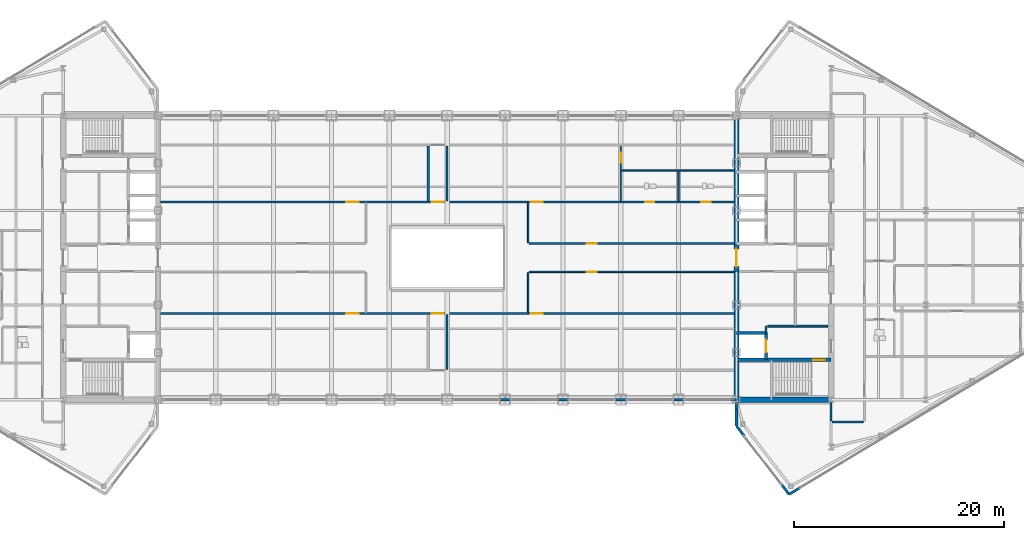
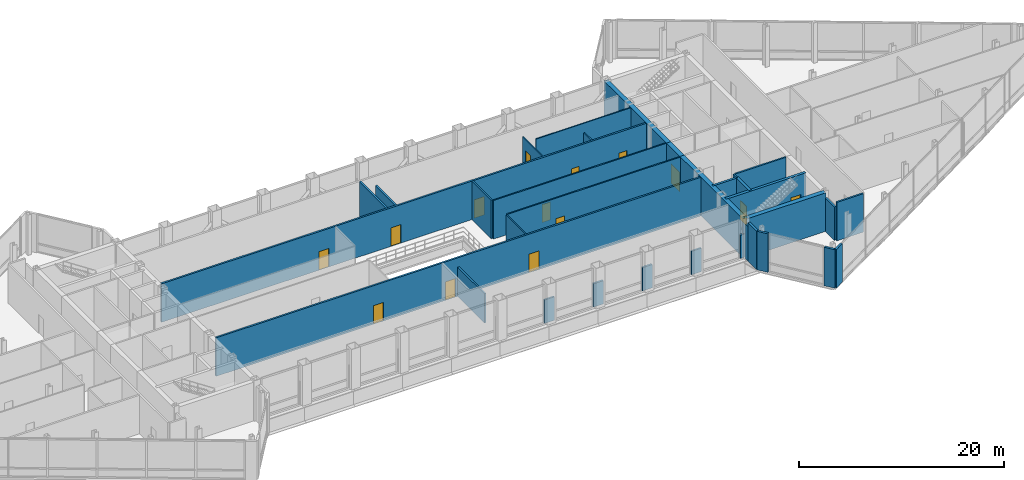
# One storey, part 24 of 30: 33 walls, 14 doors, 14 openings.
"""IFC4 building model written with IfcOpenShell, lengths in metres."""

from ifc_helpers import new_model, si_unit, direction, frame, frame_2d, origin, place, context, subcontext, project, spatial, rectangle, extrude, source, transform, mapped, material, layer, layer_set, type_object, type_shapes, element, fill, save


model = new_model("IFC4")

# Units and contexts
model_context = context("Model", 3, precision=1e-05, world=origin(), true_north=direction((0.0, 1.0)))
body_context = subcontext(model_context, "Body", "Model", "MODEL_VIEW")
ifc_project = project(units=[si_unit("LENGTHUNIT", "METRE"), si_unit("AREAUNIT", "SQUARE_METRE"), si_unit("VOLUMEUNIT", "CUBIC_METRE"), si_unit("PLANEANGLEUNIT", "RADIAN"), si_unit("MASSUNIT", "GRAM", prefix="KILO")], contexts=[model_context])

# Site, building, storey
site_placement = place(None, origin())
site = spatial("IfcSite", under=ifc_project, at=site_placement, CompositionType="ELEMENT")
building_placement = place(site_placement, origin())
building = spatial("IfcBuilding", under=site, at=building_placement, Name="Seokmaru Belvedere", CompositionType="ELEMENT")
storey_placement = place(building_placement, frame((0.0, 0.0, 234.60009765625)))
storey = spatial("IfcBuildingStorey", under=building, at=storey_placement, Name="L62", CompositionType="ELEMENT", Elevation=234.60009765625)

# Wall, opening, door
ifc_material_1 = material(Name="Fire-Rated Gypsum Shaftwall")
ifc_layer_1 = layer(ifc_material_1, 0.14990234375)
ifc_layer_set_1 = layer_set([ifc_layer_1], Name="Fire-Rated Gypsum Shaftwall")
wall_type_1 = type_object("IfcWallType", Name="Apartment Fire-Acoustic Room Partition 150", PredefinedType="PARTITIONING", material=ifc_layer_set_1)
wall_1_placement = place(storey_placement, frame((7.784912109375, -1.35009765625, 0.0), z_axis=(0.0, 0.0, 1.0), x_axis=(1.0, 0.0, 0.0)))
wall_1 = element("IfcWall", 1, at=wall_1_placement, inside=storey, type_object=wall_type_1, Name="L62 Interior Partition 013", PredefinedType="PARTITIONING", context=body_context, shape_type="SweptSolid", body=[
    extrude(rectangle(XDim=19.460205078125, YDim=0.14990234375, at=frame_2d((9.72998046875, 0.0))), origin(), (0.0, 0.0, 1.0), 4.579833984375),
])
opening_1_placement = place(wall_1_placement, frame((5.489990234375, 0.0, 0.0)))
opening_1 = element("IfcOpeningElement", 2, at=opening_1_placement, cuts=wall_1, Name="Opening D05", PredefinedType="OPENING", context=body_context, shape_type="SweptSolid", body=[
    extrude(rectangle(XDim=0.949951171875, YDim=2.14990234375, at=frame_2d((0.47509765625, 1.074951171875))), frame((0.0, 0.0849609375, 0.0), z_axis=(0.0, -1.0, 0.0), x_axis=(1.0, 0.0, 0.0)), (0.0, 0.0, 1.0), 0.169921875),
])
ifc_material_2 = material(Name="Engineered White Oak Timber", Category="wood")
door_type_1 = type_object("IfcDoorType", Name="Apartment Interior Fire-Rated Oak Door 950x2150", OperationType="NOTDEFINED", PredefinedType="DOOR", material=ifc_material_2)
shared_shape_1 = source(origin(), body_context, "Body", "SweptSolid", [
    extrude(rectangle(XDim=0.949951171875, YDim=2.14990234375, at=frame_2d((0.47509765625, 1.074951171875))), frame((0.0, 0.02490234375, 0.0), z_axis=(0.0, -1.0, 0.0), x_axis=(1.0, 0.0, 0.0)), (0.0, 0.0, 1.0), 0.050048828125),
])
type_shapes(door_type_1, [shared_shape_1])
door_1_placement = place(opening_1_placement, origin())
door_1 = element("IfcDoor", 3, at=door_1_placement, inside=storey, type_object=door_type_1, Name="L62 Interior Door 024", OperationType="SINGLE_SWING_RIGHT", OverallHeight=2.14990234375, OverallWidth=0.949951171875, PredefinedType="DOOR", context=body_context, shape_type="MappedRepresentation", body=[
    mapped(shared_shape_1, transform((0.0, 0.0, 0.0), scale=1.0)),
])
fill(opening_1, door_1)

wall_2_placement = place(storey_placement, frame((7.784912109375, 1.35009765625, 0.0), z_axis=(0.0, 0.0, 1.0), x_axis=(1.0, 0.0, 0.0)))
wall_2 = element("IfcWall", 4, at=wall_2_placement, inside=storey, type_object=wall_type_1, Name="L62 Interior Partition 018", PredefinedType="PARTITIONING", context=body_context, shape_type="SweptSolid", body=[
    extrude(rectangle(XDim=19.460205078125, YDim=0.14990234375, at=frame_2d((9.72998046875, 0.0))), origin(), (0.0, 0.0, 1.0), 4.579833984375),
])
opening_2_placement = place(wall_2_placement, frame((5.489990234375, 0.0, 0.0)))
opening_2 = element("IfcOpeningElement", 5, at=opening_2_placement, cuts=wall_2, Name="Opening D05", PredefinedType="OPENING", context=body_context, shape_type="SweptSolid", body=[
    extrude(rectangle(XDim=0.949951171875, YDim=2.14990234375, at=frame_2d((0.47509765625, 1.074951171875))), frame((0.0, 0.0849609375, 0.0), z_axis=(0.0, -1.0, 0.0), x_axis=(1.0, 0.0, 0.0)), (0.0, 0.0, 1.0), 0.169921875),
])
door_2_placement = place(opening_2_placement, origin())
door_2 = element("IfcDoor", 6, at=door_2_placement, inside=storey, type_object=door_type_1, Name="L62 Interior Door 026", OperationType="SINGLE_SWING_LEFT", OverallHeight=2.14990234375, OverallWidth=0.949951171875, PredefinedType="DOOR", context=body_context, shape_type="MappedRepresentation", body=[
    mapped(shared_shape_1, transform((0.0, 0.0, 0.0), scale=1.0)),
])
fill(opening_2, door_2)

# Walls
for number, where, z_axis, x_axis, name in (
    (7, (7.699951171875, -5.215087890625, 0.0), (0.0, 0.0, 1.0), (0.0, 1.0, 0.0), "L62 Interior Partition 039"),
    (8, (7.699951171875, 1.43505859375, 0.0), (0.0, 0.0, 1.0), (0.0, 1.0, 0.0), "L62 Interior Partition 040"),
):
    element("IfcWall", number, at=place(storey_placement, frame(where, z_axis=z_axis, x_axis=x_axis)), inside=storey, type_object=wall_type_1, Name=name, PredefinedType="PARTITIONING", context=body_context, shape_type="SweptSolid", body=[
        extrude(rectangle(XDim=3.780029296875, YDim=0.14990234375, at=frame_2d((1.89013671875, 0.0))), origin(), (0.0, 0.0, 1.0), 4.579833984375),
    ])
ifc_material_3 = material(Name="Anodised Bronze Aluminium", Category="aluminium")
ifc_layer_2 = layer(ifc_material_3, 0.2099609375)
ifc_layer_set_2 = layer_set([ifc_layer_2], Name="Anodised Bronze Aluminium")
wall_type_2 = type_object("IfcWallType", Name="Bridge Column Spandrel Closure Pier 210", PredefinedType="SOLIDWALL", material=ifc_layer_set_2)
for number, where, z_axis, x_axis, name in (
    (9, (4.949951171875, -13.5, 0.0), (0.0, 0.0, 1.0), (1.0, 0.0, 0.0), "L62 Bridge South Column Closure Pier 07"),
    (10, (10.449951171875, -13.5, 0.0), (0.0, 0.0, 1.0), (1.0, 0.0, 0.0), "L62 Bridge South Column Closure Pier 08"),
    (11, (15.949951171875, -13.5, 0.0), (0.0, 0.0, 1.0), (1.0, 0.0, 0.0), "L62 Bridge South Column Closure Pier 09"),
    (12, (21.449951171875, -13.5, 0.0), (0.0, 0.0, 1.0), (1.0, 0.0, 0.0), "L62 Bridge South Column Closure Pier 10"),
):
    element("IfcWall", number, at=place(storey_placement, frame(where, z_axis=z_axis, x_axis=x_axis)), inside=storey, type_object=wall_type_2, Name=name, PredefinedType="SOLIDWALL", context=body_context, shape_type="SweptSolid", body=[
        extrude(rectangle(XDim=1.10009765625, YDim=0.2099609375, at=frame_2d((0.550048828125, 0.0))), origin(), (0.0, 0.0, 1.0), 2.77978515625),
    ])
wall_3_placement = place(storey_placement, frame((26.949951171875, -13.5, 0.0), z_axis=(0.0, 0.0, 1.0), x_axis=(1.0, 0.0, 0.0)))
element("IfcWall", 13, at=wall_3_placement, inside=storey, type_object=wall_type_2, Name="L62 Bridge South Column Closure Pier 11", PredefinedType="SOLIDWALL", context=body_context, shape_type="SweptSolid", body=[
    extrude(rectangle(XDim=0.5400390625, YDim=0.2099609375, at=frame_2d((0.27001953125, 0.0))), origin(), (0.0, 0.0, 1.0), 2.77978515625),
])
ifc_layer_3 = layer(ifc_material_1, 0.179931640625)
ifc_layer_set_3 = layer_set([ifc_layer_3], Name="Fire-Rated Gypsum Shaftwall")
wall_type_3 = type_object("IfcWallType", Name="Core Service Fire Partition 180", PredefinedType="PARTITIONING", material=ifc_layer_set_3)
wall_4_placement = place(storey_placement, frame((30.449951171875, -6.5, 0.0), z_axis=(0.0, 0.0, 1.0), x_axis=(1.0, 0.0, 0.0)))
element("IfcWall", 14, at=wall_4_placement, inside=storey, type_object=wall_type_3, Name="L62 East Firefighting Lobby Partition", PredefinedType="PARTITIONING", context=body_context, shape_type="SweptSolid", body=[
    extrude(rectangle(XDim=5.699951171875, YDim=0.179931640625, at=frame_2d((2.85009765625, 0.0))), origin(), (0.0, 0.0, 1.0), 4.579833984375),
])
wall_5_placement = place(storey_placement, frame((30.300048828125, -7.1201171875, 0.0), z_axis=(0.0, 0.0, 1.0), x_axis=(0.0, 1.0, 0.0)))
element("IfcWall", 15, at=wall_5_placement, inside=storey, type_object=wall_type_3, Name="L62 East Firefighting Lobby East Closure Wall", PredefinedType="PARTITIONING", context=body_context, shape_type="SweptSolid", body=[
    extrude(rectangle(XDim=0.6201171875, YDim=0.179931640625, at=frame_2d((0.31005859375, 0.0))), origin(), (0.0, 0.0, 1.0), 4.579833984375),
])
ifc_material_4 = material(Name="Concrete C50 (50 MPa)", Category="concrete")
ifc_layer_4 = layer(ifc_material_4, 0.25)
ifc_layer_set_4 = layer_set([ifc_layer_4], Name="Concrete C50 (50 MPa)")
wall_type_4 = type_object("IfcWallType", Name="Hoistway Transverse Concrete Divider Wall 250", PredefinedType="SHEAR", material=ifc_layer_set_4)
wall_6_placement = place(storey_placement, frame((27.5, -7.14990234375, 0.0), z_axis=(0.0, 0.0, 1.0), x_axis=(1.0, 0.0, 0.0)))
element("IfcWall", 16, at=wall_6_placement, inside=storey, type_object=wall_type_4, Name="L62 East Hoistway Divider Core Wall 1", PredefinedType="SHEAR", context=body_context, shape_type="SweptSolid", body=[
    extrude(rectangle(XDim=2.800048828125, YDim=0.25, at=frame_2d((1.39990234375, 0.0))), origin(), (0.0, 0.0, 1.0), 4.579833984375),
])
ifc_layer_5 = layer(ifc_material_1, 0.199951171875)
ifc_layer_set_5 = layer_set([ifc_layer_5], Name="Fire-Rated Gypsum Shaftwall")
wall_type_5 = type_object("IfcWallType", Name="Inter-Tenancy Fire Compartment Partition 200", PredefinedType="PARTITIONING", material=ifc_layer_set_5)
wall_7_placement = place(storey_placement, frame((36.5849609375, -15.60009765625, 0.0), z_axis=(0.0, 0.0, 1.0), x_axis=(1.0, 0.0, 0.0)))
element("IfcWall", 17, at=wall_7_placement, inside=storey, type_object=wall_type_5, Name="L62 Interior Partition 002", PredefinedType="PARTITIONING", context=body_context, shape_type="SweptSolid", body=[
    extrude(rectangle(XDim=2.97998046875, YDim=0.199951171875, at=frame_2d((1.489990234375, 0.0))), origin(), (0.0, 0.0, 1.0), 4.579833984375),
])

# Wall, openings, doors
wall_8_placement = place(storey_placement, frame((-27.2451171875, -5.300048828125, 0.0), z_axis=(0.0, 0.0, 1.0), x_axis=(1.0, 0.0, 0.0)))
wall_8 = element("IfcWall", 18, at=wall_8_placement, inside=storey, type_object=wall_type_5, Name="L62 Interior Partition 009", PredefinedType="PARTITIONING", context=body_context, shape_type="SweptSolid", body=[
    extrude(rectangle(XDim=54.490234375, YDim=0.199951171875, at=frame_2d((27.2451171875, 0.0))), origin(), (0.0, 0.0, 1.0), 4.579833984375),
])
opening_3_placement = place(wall_8_placement, frame((25.77001953125, 0.0, 0.0)))
opening_3 = element("IfcOpeningElement", 19, at=opening_3_placement, cuts=wall_8, Name="Opening D02", PredefinedType="OPENING", context=body_context, shape_type="SweptSolid", body=[
    extrude(rectangle(XDim=1.14990234375, YDim=2.199951171875, at=frame_2d((0.574951171875, 1.10009765625))), frame((0.0, 0.10986328125, 0.0), z_axis=(0.0, -1.0, 0.0), x_axis=(1.0, 0.0, 0.0)), (0.0, 0.0, 1.0), 0.219970703125),
])
opening_4_placement = place(wall_8_placement, frame((17.669921875, 0.0, 0.0)))
opening_4 = element("IfcOpeningElement", 20, at=opening_4_placement, cuts=wall_8, Name="Opening D02", PredefinedType="OPENING", context=body_context, shape_type="SweptSolid", body=[
    extrude(rectangle(XDim=1.14990234375, YDim=2.199951171875, at=frame_2d((0.574951171875, 1.10009765625))), frame((0.0, 0.10986328125, 0.0), z_axis=(0.0, -1.0, 0.0), x_axis=(1.0, 0.0, 0.0)), (0.0, 0.0, 1.0), 0.219970703125),
])
opening_5_placement = place(wall_8_placement, frame((35.169921875, 0.0, 0.0)))
opening_5 = element("IfcOpeningElement", 21, at=opening_5_placement, cuts=wall_8, Name="Opening D02", PredefinedType="OPENING", context=body_context, shape_type="SweptSolid", body=[
    extrude(rectangle(XDim=1.14990234375, YDim=2.199951171875, at=frame_2d((0.574951171875, 1.10009765625))), frame((0.0, 0.10986328125, 0.0), z_axis=(0.0, -1.0, 0.0), x_axis=(1.0, 0.0, 0.0)), (0.0, 0.0, 1.0), 0.219970703125),
])
ifc_material_5 = material(Name="Fire-Rated Steel Leaf", Category="steel")
door_type_2 = type_object("IfcDoorType", Name="Lobby and Vestibule Fire Door 1150x2200", OperationType="NOTDEFINED", PredefinedType="DOOR", material=ifc_material_5)
shared_shape_2 = source(origin(), body_context, "Body", "SweptSolid", [
    extrude(rectangle(XDim=1.14990234375, YDim=2.199951171875, at=frame_2d((0.574951171875, 1.10009765625))), frame((0.0, 0.02490234375, 0.0), z_axis=(0.0, -1.0, 0.0), x_axis=(1.0, 0.0, 0.0)), (0.0, 0.0, 1.0), 0.050048828125),
])
type_shapes(door_type_2, [shared_shape_2])
door_3_placement = place(opening_3_placement, origin())
door_3 = element("IfcDoor", 22, at=door_3_placement, inside=storey, type_object=door_type_2, Name="L62 Interior Door 027", OperationType="SINGLE_SWING_LEFT", OverallHeight=2.199951171875, OverallWidth=1.14990234375, PredefinedType="DOOR", context=body_context, shape_type="MappedRepresentation", body=[
    mapped(shared_shape_2, transform((0.0, 0.0, 0.0), scale=1.0)),
])
fill(opening_3, door_3)
door_4_placement = place(opening_4_placement, origin())
door_4 = element("IfcDoor", 23, at=door_4_placement, inside=storey, type_object=door_type_2, Name="L62 Interior Door 032", OperationType="SINGLE_SWING_LEFT", OverallHeight=2.199951171875, OverallWidth=1.14990234375, PredefinedType="DOOR", context=body_context, shape_type="MappedRepresentation", body=[
    mapped(shared_shape_2, transform((0.0, 0.0, 0.0), scale=1.0)),
])
fill(opening_4, door_4)
door_5_placement = place(opening_5_placement, origin())
door_5 = element("IfcDoor", 24, at=door_5_placement, inside=storey, type_object=door_type_2, Name="L62 Interior Door 033", OperationType="SINGLE_SWING_RIGHT", OverallHeight=2.199951171875, OverallWidth=1.14990234375, PredefinedType="DOOR", context=body_context, shape_type="MappedRepresentation", body=[
    mapped(shared_shape_2, transform((0.0, 0.0, 0.0), scale=1.0)),
])
fill(opening_5, door_5)

wall_9_placement = place(storey_placement, frame((-27.2451171875, 5.300048828125, 0.0), z_axis=(0.0, 0.0, 1.0), x_axis=(1.0, 0.0, 0.0)))
wall_9 = element("IfcWall", 25, at=wall_9_placement, inside=storey, type_object=wall_type_5, Name="L62 Interior Partition 021", PredefinedType="PARTITIONING", context=body_context, shape_type="SweptSolid", body=[
    extrude(rectangle(XDim=54.490234375, YDim=0.199951171875, at=frame_2d((27.2451171875, 0.0))), origin(), (0.0, 0.0, 1.0), 4.579833984375),
])
opening_6_placement = place(wall_9_placement, frame((25.77001953125, 0.0, 0.0)))
opening_6 = element("IfcOpeningElement", 26, at=opening_6_placement, cuts=wall_9, Name="Opening D02", PredefinedType="OPENING", context=body_context, shape_type="SweptSolid", body=[
    extrude(rectangle(XDim=1.14990234375, YDim=2.199951171875, at=frame_2d((0.574951171875, 1.10009765625))), frame((0.0, 0.10986328125, 0.0), z_axis=(0.0, -1.0, 0.0), x_axis=(1.0, 0.0, 0.0)), (0.0, 0.0, 1.0), 0.219970703125),
])
opening_7_placement = place(wall_9_placement, frame((35.169921875, 0.0, 0.0)))
opening_7 = element("IfcOpeningElement", 27, at=opening_7_placement, cuts=wall_9, Name="Opening D02", PredefinedType="OPENING", context=body_context, shape_type="SweptSolid", body=[
    extrude(rectangle(XDim=1.14990234375, YDim=2.199951171875, at=frame_2d((0.574951171875, 1.10009765625))), frame((0.0, 0.10986328125, 0.0), z_axis=(0.0, -1.0, 0.0), x_axis=(1.0, 0.0, 0.0)), (0.0, 0.0, 1.0), 0.219970703125),
])
opening_8_placement = place(wall_9_placement, frame((17.669921875, 0.0, 0.0)))
opening_8 = element("IfcOpeningElement", 28, at=opening_8_placement, cuts=wall_9, Name="Opening D02", PredefinedType="OPENING", context=body_context, shape_type="SweptSolid", body=[
    extrude(rectangle(XDim=1.14990234375, YDim=2.199951171875, at=frame_2d((0.574951171875, 1.10009765625))), frame((0.0, 0.10986328125, 0.0), z_axis=(0.0, -1.0, 0.0), x_axis=(1.0, 0.0, 0.0)), (0.0, 0.0, 1.0), 0.219970703125),
])
opening_9_placement = place(wall_9_placement, frame((46.054931640625, 0.0, 0.0)))
opening_9 = element("IfcOpeningElement", 29, at=opening_9_placement, cuts=wall_9, Name="Opening D06", PredefinedType="OPENING", context=body_context, shape_type="SweptSolid", body=[
    extrude(rectangle(XDim=0.8798828125, YDim=2.10009765625, at=frame_2d((0.43994140625, 1.050048828125))), frame((0.0, 0.10986328125, 0.0), z_axis=(0.0, -1.0, 0.0), x_axis=(1.0, 0.0, 0.0)), (0.0, 0.0, 1.0), 0.219970703125),
])
opening_10_placement = place(wall_9_placement, frame((51.405029296875, 0.0, 0.0)))
opening_10 = element("IfcOpeningElement", 30, at=opening_10_placement, cuts=wall_9, Name="Opening D06", PredefinedType="OPENING", context=body_context, shape_type="SweptSolid", body=[
    extrude(rectangle(XDim=0.8798828125, YDim=2.10009765625, at=frame_2d((0.43994140625, 1.050048828125))), frame((0.0, 0.10986328125, 0.0), z_axis=(0.0, -1.0, 0.0), x_axis=(1.0, 0.0, 0.0)), (0.0, 0.0, 1.0), 0.219970703125),
])
door_6_placement = place(opening_6_placement, origin())
door_6 = element("IfcDoor", 31, at=door_6_placement, inside=storey, type_object=door_type_2, Name="L62 Interior Door 028", OperationType="SINGLE_SWING_RIGHT", OverallHeight=2.199951171875, OverallWidth=1.14990234375, PredefinedType="DOOR", context=body_context, shape_type="MappedRepresentation", body=[
    mapped(shared_shape_2, transform((0.0, 0.0, 0.0), scale=1.0)),
])
fill(opening_6, door_6)
door_7_placement = place(opening_7_placement, origin())
door_7 = element("IfcDoor", 32, at=door_7_placement, inside=storey, type_object=door_type_2, Name="L62 Interior Door 031", OperationType="SINGLE_SWING_RIGHT", OverallHeight=2.199951171875, OverallWidth=1.14990234375, PredefinedType="DOOR", context=body_context, shape_type="MappedRepresentation", body=[
    mapped(shared_shape_2, transform((0.0, 0.0, 0.0), scale=1.0)),
])
fill(opening_7, door_7)
door_8_placement = place(opening_8_placement, origin())
door_8 = element("IfcDoor", 33, at=door_8_placement, inside=storey, type_object=door_type_2, Name="L62 Interior Door 034", OperationType="SINGLE_SWING_LEFT", OverallHeight=2.199951171875, OverallWidth=1.14990234375, PredefinedType="DOOR", context=body_context, shape_type="MappedRepresentation", body=[
    mapped(shared_shape_2, transform((0.0, 0.0, 0.0), scale=1.0)),
])
fill(opening_8, door_8)
door_type_3 = type_object("IfcDoorType", Name="Bathroom and Restroom Fire-Rated Door 880x2100", OperationType="NOTDEFINED", PredefinedType="DOOR", material=ifc_material_2)
shared_shape_3 = source(origin(), body_context, "Body", "SweptSolid", [
    extrude(rectangle(XDim=0.8798828125, YDim=2.10009765625, at=frame_2d((0.43994140625, 1.050048828125))), frame((0.0, 0.02490234375, 0.0), z_axis=(0.0, -1.0, 0.0), x_axis=(1.0, 0.0, 0.0)), (0.0, 0.0, 1.0), 0.050048828125),
])
type_shapes(door_type_3, [shared_shape_3])
door_9_placement = place(opening_9_placement, origin())
door_9 = element("IfcDoor", 34, at=door_9_placement, inside=storey, type_object=door_type_3, Name="L62 Interior Door 035", OperationType="SINGLE_SWING_LEFT", OverallHeight=2.10009765625, OverallWidth=0.8798828125, PredefinedType="DOOR", context=body_context, shape_type="MappedRepresentation", body=[
    mapped(shared_shape_3, transform((0.0, 0.0, 0.0), scale=1.0)),
])
fill(opening_9, door_9)
door_10_placement = place(opening_10_placement, origin())
door_10 = element("IfcDoor", 35, at=door_10_placement, inside=storey, type_object=door_type_3, Name="L62 Interior Door 036", OperationType="SINGLE_SWING_RIGHT", OverallHeight=2.10009765625, OverallWidth=0.8798828125, PredefinedType="DOOR", context=body_context, shape_type="MappedRepresentation", body=[
    mapped(shared_shape_3, transform((0.0, 0.0, 0.0), scale=1.0)),
])
fill(opening_10, door_10)

# Walls
wall_10_placement = place(storey_placement, frame((-1.800048828125, 5.385009765625, 0.0), z_axis=(0.0, 0.0, 1.0), x_axis=(0.0, 1.0, 0.0)))
element("IfcWall", 36, at=wall_10_placement, inside=storey, type_object=wall_type_5, Name="L62 Interior Partition 036", PredefinedType="PARTITIONING", context=body_context, shape_type="SweptSolid", body=[
    extrude(rectangle(XDim=5.22998046875, YDim=0.199951171875, at=frame_2d((2.614990234375, 0.0))), origin(), (0.0, 0.0, 1.0), 4.579833984375),
])
for number, where, z_axis, x_axis, name in (
    (37, (0.0, -10.614990234375, 0.0), (0.0, 0.0, 1.0), (0.0, 1.0, 0.0), "L62 Interior Partition 037"),
    (38, (0.0, 5.385009765625, 0.0), (0.0, 0.0, 1.0), (0.0, 1.0, 0.0), "L62 Interior Partition 038"),
):
    element("IfcWall", number, at=place(storey_placement, frame(where, z_axis=z_axis, x_axis=x_axis)), inside=storey, type_object=wall_type_5, Name=name, PredefinedType="PARTITIONING", context=body_context, shape_type="SweptSolid", body=[
        extrude(rectangle(XDim=5.22998046875, YDim=0.199951171875, at=frame_2d((2.614990234375, 0.0))), origin(), (0.0, 0.0, 1.0), 3.47998046875),
    ])
wall_11_placement = place(storey_placement, frame((36.5, -15.514892578125, 0.0), z_axis=(0.0, 0.0, 1.0), x_axis=(0.0, 1.0, 0.0)))
element("IfcWall", 39, at=wall_11_placement, inside=storey, type_object=wall_type_5, Name="L62 Interior Partition 043", PredefinedType="PARTITIONING", context=body_context, shape_type="SweptSolid", body=[
    extrude(rectangle(XDim=1.760009765625, YDim=0.199951171875, at=frame_2d((0.8798828125, 0.0))), origin(), (0.0, 0.0, 1.0), 3.97998046875),
])

# Wall, opening, door
ifc_layer_6 = layer(ifc_material_4, 0.300048828125)
ifc_layer_set_6 = layer_set([ifc_layer_6], Name="Concrete C50 (50 MPa)")
wall_type_6 = type_object("IfcWallType", Name="Internal Core Stair and Hoistway Wall 300", PredefinedType="SHEAR", material=ifc_layer_set_6)
wall_12_placement = place(storey_placement, frame((27.5, -9.699951171875, 0.0), z_axis=(0.0, 0.0, 1.0), x_axis=(1.0, 0.0, 0.0)))
wall_12 = element("IfcWall", 40, at=wall_12_placement, inside=storey, type_object=wall_type_6, Name="L62 East Stair ST-1 Enclosure Wall", PredefinedType="SHEAR", context=body_context, shape_type="SweptSolid", body=[
    extrude(rectangle(XDim=9.0, YDim=0.300048828125, at=frame_2d((4.5, 0.0))), origin(), (0.0, 0.0, 1.0), 4.579833984375),
])
opening_11_placement = place(wall_12_placement, frame((7.300048828125, 0.0, 0.0)))
opening_11 = element("IfcOpeningElement", 41, at=opening_11_placement, cuts=wall_12, Name="Opening D01", PredefinedType="OPENING", context=body_context, shape_type="SweptSolid", body=[
    extrude(rectangle(XDim=1.10009765625, YDim=2.199951171875, at=frame_2d((0.550048828125, 1.10009765625))), frame((0.0, 0.16015625, 0.0), z_axis=(0.0, -1.0, 0.0), x_axis=(1.0, 0.0, 0.0)), (0.0, 0.0, 1.0), 0.320068359375),
])
door_type_4 = type_object("IfcDoorType", Name="Special Escape Stair Smokeproof Fire Door 1100x2200", OperationType="NOTDEFINED", PredefinedType="DOOR", material=ifc_material_5)
shared_shape_4 = source(origin(), body_context, "Body", "SweptSolid", [
    extrude(rectangle(XDim=1.10009765625, YDim=2.199951171875, at=frame_2d((0.550048828125, 1.10009765625))), frame((0.0, 0.02490234375, 0.0), z_axis=(0.0, -1.0, 0.0), x_axis=(1.0, 0.0, 0.0)), (0.0, 0.0, 1.0), 0.050048828125),
])
type_shapes(door_type_4, [shared_shape_4])
door_11_placement = place(opening_11_placement, frame((1.10009765625, 0.0, 0.0), z_axis=(0.0, 0.0, 1.0), x_axis=(-1.0, 0.0, 0.0)))
door_11 = element("IfcDoor", 42, at=door_11_placement, inside=storey, type_object=door_type_4, Name="L62 East Special Escape Stair ST-1 Door", OperationType="SINGLE_SWING_RIGHT", OverallHeight=2.199951171875, OverallWidth=1.10009765625, PredefinedType="DOOR", context=body_context, shape_type="MappedRepresentation", body=[
    mapped(shared_shape_4, transform((0.0, 0.0, 0.0), scale=1.0)),
])
fill(opening_11, door_11)

wall_13_placement = place(storey_placement, frame((30.300048828125, -9.679931640625, 0.0), z_axis=(0.0, 0.0, 1.0), x_axis=(0.0, 1.0, 0.0)))
wall_13 = element("IfcWall", 43, at=wall_13_placement, inside=storey, type_object=wall_type_6, Name="L62 East Firefighting Lift Shaft Front Wall", PredefinedType="SHEAR", context=body_context, shape_type="SweptSolid", body=[
    extrude(rectangle(XDim=2.559814453125, YDim=0.300048828125, at=frame_2d((1.27978515625, 0.0))), origin(), (0.0, 0.0, 1.0), 4.579833984375),
])
opening_12_placement = place(wall_13_placement, frame((0.679931640625, 0.0, 0.0)))
opening_12 = element("IfcOpeningElement", 44, at=opening_12_placement, cuts=wall_13, Name="Opening LD2", PredefinedType="OPENING", context=body_context, shape_type="SweptSolid", body=[
    extrude(rectangle(XDim=1.199951171875, YDim=2.25, at=frame_2d((0.60009765625, 1.125))), frame((0.0, 0.16015625, 0.0), z_axis=(0.0, -1.0, 0.0), x_axis=(1.0, 0.0, 0.0)), (0.0, 0.0, 1.0), 0.320068359375),
])
ifc_material_6 = material(Name="Stainless Steel 316", Category="steel")
door_type_5 = type_object("IfcDoorType", Name="Firefighting Lift Sliding Landing Door 1200x2250", OperationType="DOUBLE_DOOR_SLIDING", PredefinedType="DOOR", material=ifc_material_6)
shared_shape_5 = source(origin(), body_context, "Body", "SweptSolid", [
    extrude(rectangle(XDim=1.199951171875, YDim=2.25, at=frame_2d((0.60009765625, 1.125))), frame((0.0, 0.02490234375, 0.0), z_axis=(0.0, -1.0, 0.0), x_axis=(1.0, 0.0, 0.0)), (0.0, 0.0, 1.0), 0.050048828125),
])
type_shapes(door_type_5, [shared_shape_5])
door_12_placement = place(opening_12_placement, origin())
door_12 = element("IfcDoor", 45, at=door_12_placement, inside=storey, type_object=door_type_5, Name="L62 East Firefighting Lift Landing Door", OperationType="DOUBLE_DOOR_SLIDING", OverallHeight=2.25, OverallWidth=1.199951171875, PredefinedType="DOOR", context=body_context, shape_type="MappedRepresentation", body=[
    mapped(shared_shape_5, transform((0.0, 0.0, 0.0), scale=1.0)),
])
fill(opening_12, door_12)

# Wall
ifc_layer_7 = layer(ifc_material_1, 0.1298828125)
ifc_layer_set_7 = layer_set([ifc_layer_7], Name="Fire-Rated Gypsum Shaftwall")
wall_type_7 = type_object("IfcWallType", Name="Moisture-Resistant Fire-Rated Bathroom Partition 130", PredefinedType="PARTITIONING", material=ifc_layer_set_7)
wall_14_placement = place(storey_placement, frame((16.5849609375, 8.300048828125, 0.0), z_axis=(0.0, 0.0, 1.0), x_axis=(1.0, 0.0, 0.0)))
element("IfcWall", 46, at=wall_14_placement, inside=storey, type_object=wall_type_7, Name="L62 Interior Partition 022", PredefinedType="PARTITIONING", context=body_context, shape_type="SweptSolid", body=[
    extrude(rectangle(XDim=10.66015625, YDim=0.1298828125, at=frame_2d((5.330078125, 0.0))), origin(), (0.0, 0.0, 1.0), 4.579833984375),
])

# Wall, opening, door
wall_15_placement = place(storey_placement, frame((16.5, 5.385009765625, 0.0), z_axis=(0.0, 0.0, 1.0), x_axis=(0.0, 1.0, 0.0)))
wall_15 = element("IfcWall", 47, at=wall_15_placement, inside=storey, type_object=wall_type_7, Name="L62 Interior Partition 041", PredefinedType="PARTITIONING", context=body_context, shape_type="SweptSolid", body=[
    extrude(rectangle(XDim=5.22998046875, YDim=0.1298828125, at=frame_2d((2.614990234375, 0.0))), origin(), (0.0, 0.0, 1.0), 3.47998046875),
])
opening_13_placement = place(wall_15_placement, frame((3.639892578125, 0.0, 0.0)))
opening_13 = element("IfcOpeningElement", 48, at=opening_13_placement, cuts=wall_15, Name="Opening D05", PredefinedType="OPENING", context=body_context, shape_type="SweptSolid", body=[
    extrude(rectangle(XDim=0.949951171875, YDim=2.14990234375, at=frame_2d((0.47509765625, 1.074951171875))), frame((0.0, 0.074951171875, 0.0), z_axis=(0.0, -1.0, 0.0), x_axis=(1.0, 0.0, 0.0)), (0.0, 0.0, 1.0), 0.14990234375),
])
door_13_placement = place(opening_13_placement, origin())
door_13 = element("IfcDoor", 49, at=door_13_placement, inside=storey, type_object=door_type_1, Name="L62 Interior Door 037", OperationType="SINGLE_SWING_LEFT", OverallHeight=2.14990234375, OverallWidth=0.949951171875, PredefinedType="DOOR", context=body_context, shape_type="MappedRepresentation", body=[
    mapped(shared_shape_1, transform((0.0, 0.0, 0.0), scale=1.0)),
])
fill(opening_13, door_13)

# Walls
wall_16_placement = place(storey_placement, frame((22.0, 5.385009765625, 0.0), z_axis=(0.0, 0.0, 1.0), x_axis=(0.0, 1.0, 0.0)))
element("IfcWall", 50, at=wall_16_placement, inside=storey, type_object=wall_type_7, Name="L62 Interior Partition 042", PredefinedType="PARTITIONING", context=body_context, shape_type="SweptSolid", body=[
    extrude(rectangle(XDim=2.830078125, YDim=0.1298828125, at=frame_2d((1.4150390625, 0.0))), origin(), (0.0, 0.0, 1.0), 3.47998046875),
])
ifc_layer_8 = layer(ifc_material_3, 0.239990234375)
ifc_layer_set_8 = layer_set([ifc_layer_8], Name="Anodised Bronze Aluminium")
wall_type_8 = type_object("IfcWallType", Name="Tower Corner Spandrel Closure Wall 240", PredefinedType="SOLIDWALL", material=ifc_layer_set_8)
wall_17_placement = place(storey_placement, frame((32.508544921875, -22.494873046875, 0.0), z_axis=(0.0, 0.0, 1.0), x_axis=(0.85743623509, 0.514590228002, 0.0)))
element("IfcWall", 51, at=wall_17_placement, inside=storey, type_object=wall_type_8, Name="L62 E Corner Closure Pier 1A", PredefinedType="SOLIDWALL", context=body_context, shape_type="SweptSolid", body=[
    extrude(rectangle(XDim=1.14013671875, YDim=0.239990234375, at=frame_2d((0.570068359375, 0.0))), origin(), (0.0, 0.0, 1.0), 4.579833984375),
])
wall_18_placement = place(storey_placement, frame((27.5, -15.97998046875, 0.0), z_axis=(0.0, 0.0, 1.0), x_axis=(0.0, 1.0, 0.0)))
element("IfcWall", 52, at=wall_18_placement, inside=storey, type_object=wall_type_8, Name="L62 E Shoulder Closure Wall 1", PredefinedType="SOLIDWALL", context=body_context, shape_type="SweptSolid", body=[
    extrude(rectangle(XDim=1.605224609375, YDim=0.239990234375, at=frame_2d((0.802734375, 0.0))), origin(), (0.0, 0.0, 1.0), 4.579833984375),
])
wall_19_placement = place(storey_placement, frame((27.5, -14.374755859375, 0.0), z_axis=(0.0, 0.0, 1.0), x_axis=(0.0, 1.0, 0.0)))
element("IfcWall", 53, at=wall_19_placement, inside=storey, type_object=wall_type_8, Name="L62 E Shoulder Closure Wall 1 Part 2", PredefinedType="SOLIDWALL", context=body_context, shape_type="SweptSolid", body=[
    extrude(rectangle(XDim=0.619873046875, YDim=0.239990234375, at=frame_2d((0.31005859375, 0.0))), origin(), (0.0, 0.0, 1.0), 4.079833984375),
])
for number, where, z_axis, x_axis, name in (
    (54, (27.506103515625, -16.0078125, 0.0), (0.0, 0.0, 1.0), (0.609617623633, -0.792695624408, 0.0), "L62 E Corner Closure Pier 6A"),
    (55, (31.798828125, -21.58837890625, 0.0), (0.0, 0.0, 1.0), (0.609617623633, -0.792695624408, 0.0), "L62 E Corner Closure Pier 6B"),
):
    element("IfcWall", number, at=place(storey_placement, frame(where, z_axis=z_axis, x_axis=x_axis)), inside=storey, type_object=wall_type_8, Name=name, PredefinedType="SOLIDWALL", context=body_context, shape_type="SweptSolid", body=[
        extrude(rectangle(XDim=1.14013671875, YDim=0.239990234375, at=frame_2d((0.570068359375, 0.0))), origin(), (0.0, 0.0, 1.0), 4.579833984375),
    ])
ifc_layer_9 = layer(ifc_material_4, 0.5)
ifc_layer_set_9 = layer_set([ifc_layer_9], Name="Concrete C50 (50 MPa)")
wall_type_9 = type_object("IfcWallType", Name="Upper Tower Reinforced Concrete Core Wall 500", PredefinedType="SHEAR", material=ifc_layer_set_9)
for number, where, z_axis, x_axis, name in (
    (56, (27.5, -13.5, 0.0), (0.0, 0.0, 1.0), (0.0, 1.0, 0.0), "L62 East Portal Spine Core Wall South"),
    (57, (27.5, 1.300048828125, 0.0), (0.0, 0.0, 1.0), (0.0, 1.0, 0.0), "L62 East Portal Spine Core Wall North"),
):
    element("IfcWall", number, at=place(storey_placement, frame(where, z_axis=z_axis, x_axis=x_axis)), inside=storey, type_object=wall_type_9, Name=name, PredefinedType="SHEAR", context=body_context, shape_type="SweptSolid", body=[
        extrude(rectangle(XDim=12.199951171875, YDim=0.5, at=frame_2d((6.10009765625, 0.0))), origin(), (0.0, 0.0, 1.0), 4.579833984375),
    ])

# Wall, opening, door
wall_20_placement = place(storey_placement, frame((27.5, -1.300048828125, 0.0), z_axis=(0.0, 0.0, 1.0), x_axis=(0.0, 1.0, 0.0)))
wall_20 = element("IfcWall", 58, at=wall_20_placement, inside=storey, type_object=wall_type_9, Name="L62 East Portal Spine Core Wall Center", PredefinedType="SHEAR", context=body_context, shape_type="SweptSolid", body=[
    extrude(rectangle(XDim=2.60009765625, YDim=0.5, at=frame_2d((1.300048828125, 0.0))), origin(), (0.0, 0.0, 1.0), 4.579833984375),
])
opening_14_placement = place(wall_20_placement, frame((0.449951171875, 0.0, 0.0)))
opening_14 = element("IfcOpeningElement", 59, at=opening_14_placement, cuts=wall_20, Name="Opening D09", PredefinedType="OPENING", context=body_context, shape_type="SweptSolid", body=[
    extrude(rectangle(XDim=1.699951171875, YDim=2.35009765625, at=frame_2d((0.85009765625, 1.175048828125))), frame((0.0, 0.260009765625, 0.0), z_axis=(0.0, -1.0, 0.0), x_axis=(1.0, 0.0, 0.0)), (0.0, 0.0, 1.0), 0.52001953125),
])
door_type_6 = type_object("IfcDoorType", Name="Sky-Gate Bridge Inter-Tower Fire Door 1700x2350", OperationType="DOUBLE_SWING_LEFT", PredefinedType="DOOR", material=ifc_material_5)
shared_shape_6 = source(origin(), body_context, "Body", "SweptSolid", [
    extrude(rectangle(XDim=1.699951171875, YDim=2.35009765625, at=frame_2d((0.85009765625, 1.175048828125))), frame((0.0, 0.02490234375, 0.0), z_axis=(0.0, -1.0, 0.0), x_axis=(1.0, 0.0, 0.0)), (0.0, 0.0, 1.0), 0.050048828125),
])
type_shapes(door_type_6, [shared_shape_6])
door_14_placement = place(opening_14_placement, origin())
door_14 = element("IfcDoor", 60, at=door_14_placement, inside=storey, type_object=door_type_6, Name="L62 East Inter-Tower Fire Door", OperationType="DOUBLE_SWING_LEFT", OverallHeight=2.35009765625, OverallWidth=1.699951171875, PredefinedType="DOOR", context=body_context, shape_type="MappedRepresentation", body=[
    mapped(shared_shape_6, transform((0.0, 0.0, 0.0), scale=1.0)),
])
fill(opening_14, door_14)

# Wall
wall_21_placement = place(storey_placement, frame((27.5, -13.5, 0.0), z_axis=(0.0, 0.0, 1.0), x_axis=(1.0, 0.0, 0.0)))
element("IfcWall", 61, at=wall_21_placement, inside=storey, type_object=wall_type_9, Name="L62 East South Core Wall", PredefinedType="SHEAR", context=body_context, shape_type="SweptSolid", body=[
    extrude(rectangle(XDim=9.0, YDim=0.5, at=frame_2d((4.5, 0.0))), origin(), (0.0, 0.0, 1.0), 4.579833984375),
])

save(model, "model.ifc")
